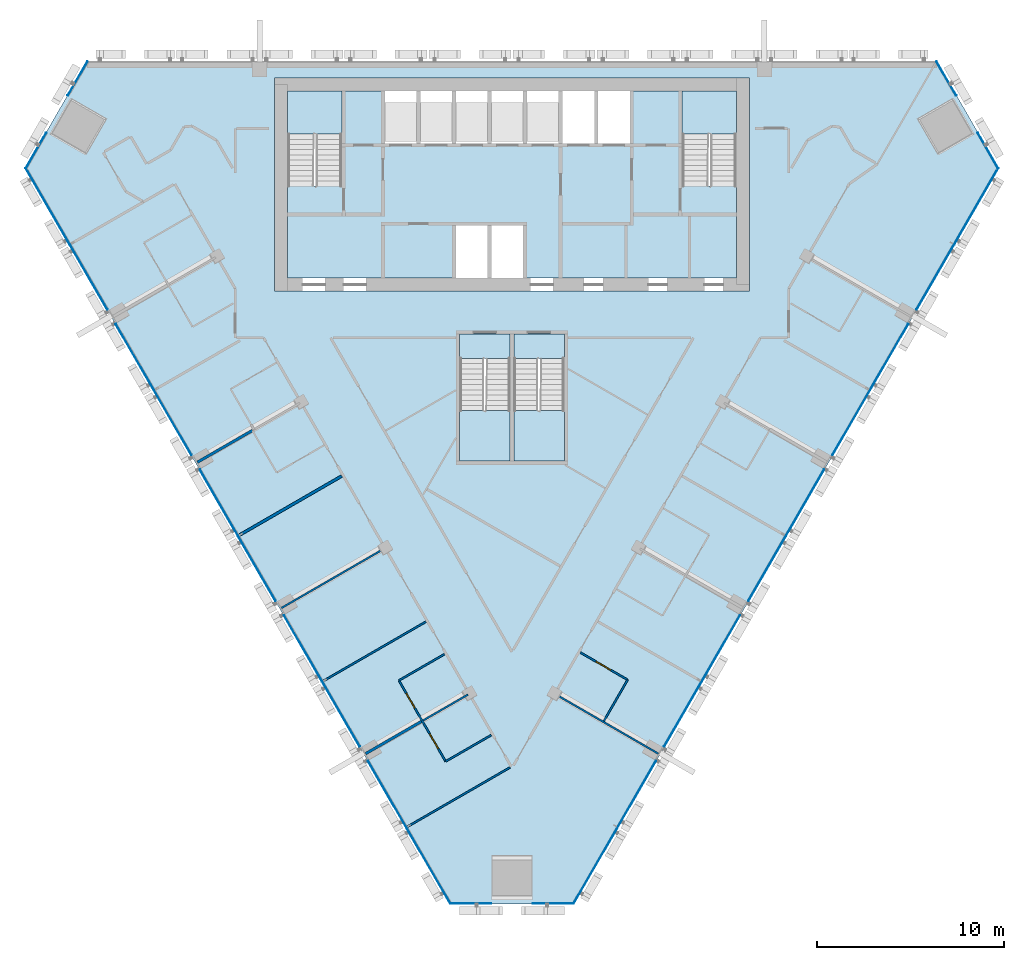
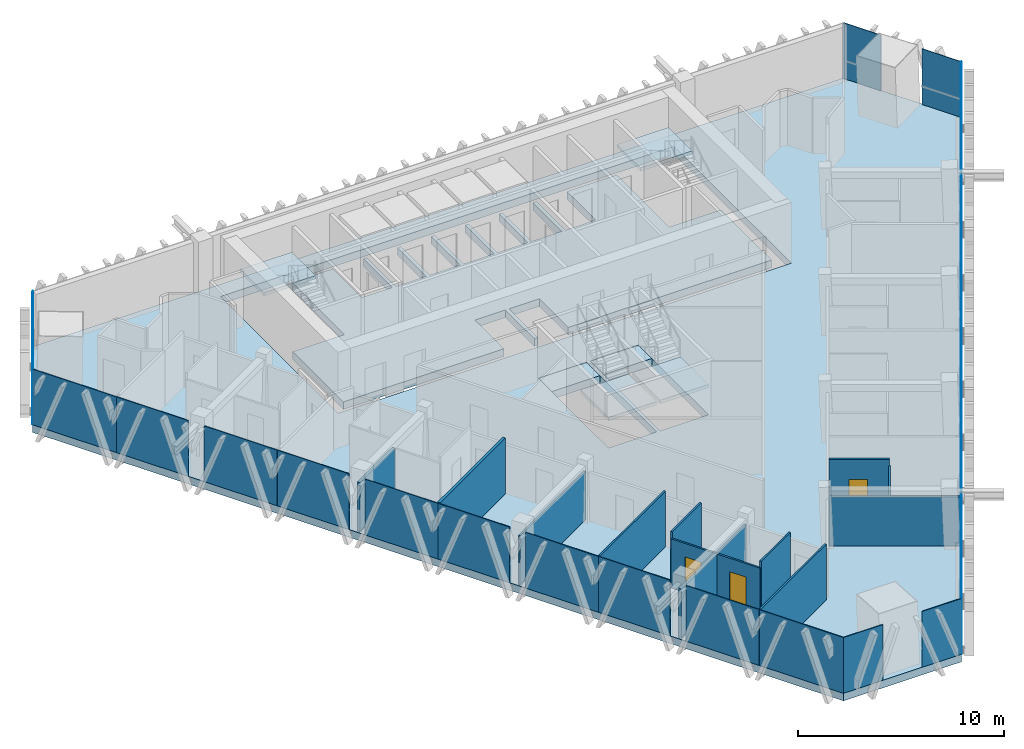
# One storey, part 7 of 15: 26 plates, 13 walls, 8 slabs, 3 doors, 3 openings, 9 elements without a shape of their own.
"""IFC4 building model written with IfcOpenShell, lengths in metres."""

from ifc_helpers import new_model, si_unit, direction, frame, frame_2d, origin, origin_2d, place, context, subcontext, project, spatial, polyline, rectangle, outline, extrude, material, layer, layer_set, type_object, element, fill, aggregate, save


model = new_model("IFC4")

# Units and contexts
model_context = context("Model", 3, precision=1e-05, world=origin(), true_north=direction((0.0, 1.0)))
body_context = subcontext(model_context, "Body", "Model", "MODEL_VIEW")
ifc_project = project(units=[si_unit("LENGTHUNIT", "METRE"), si_unit("AREAUNIT", "SQUARE_METRE"), si_unit("VOLUMEUNIT", "CUBIC_METRE"), si_unit("PLANEANGLEUNIT", "RADIAN"), si_unit("MASSUNIT", "GRAM", prefix="KILO")], contexts=[model_context])

# Site, building, storey
site_placement = place(None, origin())
site = spatial("IfcSite", under=ifc_project, at=site_placement, CompositionType="ELEMENT")
building_placement = place(site_placement, origin())
building = spatial("IfcBuilding", under=site, at=building_placement, Name="Altiplano Prism Tower", CompositionType="ELEMENT")
storey_placement = place(building_placement, frame((0.0, 0.0, 185.39990234375)))
storey = spatial("IfcBuildingStorey", under=building, at=storey_placement, Name="L48", CompositionType="ELEMENT", Elevation=185.39990234375)

# Curtain wall, plates
ifc_material_1 = material(Name="Aluminium and glass", Category="aluminium")
ifc_layer_1 = layer(ifc_material_1, 0.280029296875)
ifc_layer_set_1 = layer_set([ifc_layer_1], Name="Aluminium and glass")
curtain_wall_type = type_object("IfcCurtainWallType", Name="CW1 typical co-living unitised curtain wall", PredefinedType="NOTDEFINED", material=ifc_layer_set_1)
curtain_wall_1_placement = place(storey_placement, origin())
curtain_wall_1 = element("IfcCurtainWall", 1, at=curtain_wall_1_placement, inside=storey, type_object=curtain_wall_type, Name="CW1 curtain wall north-west chamfer L48", PredefinedType="NOTDEFINED")
ifc_material_2 = material(Name="Clear glass", Category="glass")
ifc_layer_2 = layer(ifc_material_2, 0.0400390625)
ifc_layer_set_2 = layer_set([ifc_layer_2], Name="Clear glass")
plate_type = type_object("IfcPlateType", Name="CW1 insulated glass unit 40", PredefinedType="CURTAIN_PANEL", material=ifc_layer_set_2)
plate_1_placement = place(storey_placement, frame((61.764892578125, 104.069091796875, 0.0), z_axis=(0.0, 0.0, 1.0), x_axis=(-0.49999997769, -0.866025416665, 0.0)))
plate_1 = element("IfcPlate", 2, at=plate_1_placement, type_object=plate_type, Name="CW1 panel", PredefinedType="CURTAIN_PANEL", context=body_context, shape_type="SweptSolid", body=[
    extrude(rectangle(XDim=2.11669921875, YDim=0.0400390625, at=origin_2d()), origin(), (0.0, 0.0, 1.0), 3.300048828125),
])
plate_2_placement = place(storey_placement, frame((59.541748046875, 100.21826171875, 0.0), z_axis=(0.0, 0.0, 1.0), x_axis=(-0.49999997769, -0.866025416665, 0.0)))
plate_2 = element("IfcPlate", 3, at=plate_2_placement, type_object=plate_type, Name="CW1 panel", PredefinedType="CURTAIN_PANEL", context=body_context, shape_type="SweptSolid", body=[
    extrude(rectangle(XDim=2.19677734375, YDim=0.0400390625, at=origin_2d()), origin(), (0.0, 0.0, 1.0), 3.300048828125),
])
aggregate(curtain_wall_1, [plate_1, plate_2])

curtain_wall_2_placement = place(storey_placement, origin())
curtain_wall_2 = element("IfcCurtainWall", 4, at=curtain_wall_2_placement, inside=storey, type_object=curtain_wall_type, Name="CW1 curtain wall south-west face L48", PredefinedType="NOTDEFINED")
plate_3_placement = place(storey_placement, frame((60.170166015625, 97.238525390625, 0.0), z_axis=(0.0, 0.0, 1.0), x_axis=(0.499999992699, -0.866025407999, 0.0)))
plate_3 = element("IfcPlate", 5, at=plate_3_placement, type_object=plate_type, Name="CW1 panel", PredefinedType="CURTAIN_PANEL", context=body_context, shape_type="SweptSolid", body=[
    extrude(rectangle(XDim=4.710693359375, YDim=0.0400390625, at=origin_2d()), origin(), (0.0, 0.0, 1.0), 3.300048828125),
])
plate_4_placement = place(storey_placement, frame((62.355224609375, 93.453857421875, 0.0), z_axis=(0.0, 0.0, 1.0), x_axis=(0.499999992699, -0.866025407999, 0.0)))
plate_4 = element("IfcPlate", 6, at=plate_4_placement, type_object=plate_type, Name="CW1 panel", PredefinedType="CURTAIN_PANEL", context=body_context, shape_type="SweptSolid", body=[
    extrude(rectangle(XDim=4.010009765625, YDim=0.0400390625, at=origin_2d()), origin(), (0.0, 0.0, 1.0), 3.300048828125),
])
plate_5_placement = place(storey_placement, frame((64.825439453125, 89.17529296875, 0.0), z_axis=(0.0, 0.0, 1.0), x_axis=(0.499999992699, -0.866025407999, 0.0)))
plate_5 = element("IfcPlate", 7, at=plate_5_placement, type_object=plate_type, Name="CW1 panel", PredefinedType="CURTAIN_PANEL", context=body_context, shape_type="SweptSolid", body=[
    extrude(rectangle(XDim=4.08935546875, YDim=0.0400390625, at=origin_2d()), origin(), (0.0, 0.0, 1.0), 3.300048828125),
])
plate_6_placement = place(storey_placement, frame((66.855224609375, 85.65966796875, 0.0), z_axis=(0.0, 0.0, 1.0), x_axis=(0.499999992699, -0.866025407999, 0.0)))
plate_6 = element("IfcPlate", 8, at=plate_6_placement, type_object=plate_type, Name="CW1 panel", PredefinedType="CURTAIN_PANEL", context=body_context, shape_type="SweptSolid", body=[
    extrude(rectangle(XDim=4.010009765625, YDim=0.0400390625, at=origin_2d()), origin(), (0.0, 0.0, 1.0), 3.300048828125),
])
plate_7_placement = place(storey_placement, frame((69.325439453125, 81.381103515625, 0.0), z_axis=(0.0, 0.0, 1.0), x_axis=(0.499999992699, -0.866025407999, 0.0)))
plate_7 = element("IfcPlate", 9, at=plate_7_placement, type_object=plate_type, Name="CW1 panel", PredefinedType="CURTAIN_PANEL", context=body_context, shape_type="SweptSolid", body=[
    extrude(rectangle(XDim=4.08935546875, YDim=0.0400390625, at=origin_2d()), origin(), (0.0, 0.0, 1.0), 3.300048828125),
])
plate_8_placement = place(storey_placement, frame((71.355224609375, 77.865234375, 0.0), z_axis=(0.0, 0.0, 1.0), x_axis=(0.499999992699, -0.866025407999, 0.0)))
plate_8 = element("IfcPlate", 10, at=plate_8_placement, type_object=plate_type, Name="CW1 panel", PredefinedType="CURTAIN_PANEL", context=body_context, shape_type="SweptSolid", body=[
    extrude(rectangle(XDim=4.010009765625, YDim=0.0400390625, at=origin_2d()), origin(), (0.0, 0.0, 1.0), 3.300048828125),
])
plate_9_placement = place(storey_placement, frame((73.825439453125, 73.5869140625, 0.0), z_axis=(0.0, 0.0, 1.0), x_axis=(0.499999992699, -0.866025407999, 0.0)))
plate_9 = element("IfcPlate", 11, at=plate_9_placement, type_object=plate_type, Name="CW1 panel", PredefinedType="CURTAIN_PANEL", context=body_context, shape_type="SweptSolid", body=[
    extrude(rectangle(XDim=4.08935546875, YDim=0.0400390625, at=origin_2d()), origin(), (0.0, 0.0, 1.0), 3.300048828125),
])
plate_10_placement = place(storey_placement, frame((75.855224609375, 70.071044921875, 0.0), z_axis=(0.0, 0.0, 1.0), x_axis=(0.499999992699, -0.866025407999, 0.0)))
plate_10 = element("IfcPlate", 12, at=plate_10_placement, type_object=plate_type, Name="CW1 panel", PredefinedType="CURTAIN_PANEL", context=body_context, shape_type="SweptSolid", body=[
    extrude(rectangle(XDim=4.010009765625, YDim=0.0400390625, at=origin_2d()), origin(), (0.0, 0.0, 1.0), 3.300048828125),
])
plate_11_placement = place(storey_placement, frame((78.325439453125, 65.792724609375, 0.0), z_axis=(0.0, 0.0, 1.0), x_axis=(0.499999992699, -0.866025407999, 0.0)))
plate_11 = element("IfcPlate", 13, at=plate_11_placement, type_object=plate_type, Name="CW1 panel", PredefinedType="CURTAIN_PANEL", context=body_context, shape_type="SweptSolid", body=[
    extrude(rectangle(XDim=4.08935546875, YDim=0.0400390625, at=origin_2d()), origin(), (0.0, 0.0, 1.0), 3.300048828125),
])
plate_12_placement = place(storey_placement, frame((80.530517578125, 61.973388671875, 0.0), z_axis=(0.0, 0.0, 1.0), x_axis=(0.499999992699, -0.866025407999, 0.0)))
plate_12 = element("IfcPlate", 14, at=plate_12_placement, type_object=plate_type, Name="CW1 panel", PredefinedType="CURTAIN_PANEL", context=body_context, shape_type="SweptSolid", body=[
    extrude(rectangle(XDim=4.710693359375, YDim=0.0400390625, at=origin_2d()), origin(), (0.0, 0.0, 1.0), 3.300048828125),
])
aggregate(curtain_wall_2, [plate_3, plate_4, plate_5, plate_6, plate_7, plate_8, plate_9, plate_10, plate_11, plate_12])

curtain_wall_3_placement = place(storey_placement, origin())
curtain_wall_3 = element("IfcCurtainWall", 15, at=curtain_wall_3_placement, inside=storey, type_object=curtain_wall_type, Name="CW1 curtain wall south chamfer L48", PredefinedType="NOTDEFINED")
plate_13_placement = place(storey_placement, frame((82.796630859375, 59.939453125, 0.0), z_axis=(0.0, 0.0, 1.0), x_axis=(1.0, 0.0, 0.0)))
plate_13 = element("IfcPlate", 16, at=plate_13_placement, type_object=plate_type, Name="CW1 panel", PredefinedType="CURTAIN_PANEL", context=body_context, shape_type="SweptSolid", body=[
    extrude(rectangle(XDim=2.19677734375, YDim=0.0400390625, at=origin_2d()), origin(), (0.0, 0.0, 1.0), 3.300048828125),
])
plate_14_placement = place(storey_placement, frame((87.203369140625, 59.939453125, 0.0), z_axis=(0.0, 0.0, 1.0), x_axis=(1.0, 0.0, 0.0)))
plate_14 = element("IfcPlate", 17, at=plate_14_placement, type_object=plate_type, Name="CW1 panel", PredefinedType="CURTAIN_PANEL", context=body_context, shape_type="SweptSolid", body=[
    extrude(rectangle(XDim=2.19677734375, YDim=0.0400390625, at=origin_2d()), origin(), (0.0, 0.0, 1.0), 3.300048828125),
])
aggregate(curtain_wall_3, [plate_13, plate_14])

curtain_wall_4_placement = place(storey_placement, origin())
curtain_wall_4 = element("IfcCurtainWall", 18, at=curtain_wall_4_placement, inside=storey, type_object=curtain_wall_type, Name="CW1 curtain wall south-east face L48", PredefinedType="NOTDEFINED")
plate_15_placement = place(storey_placement, frame((89.469482421875, 61.973388671875, 0.0), z_axis=(0.0, 0.0, 1.0), x_axis=(0.499999992699, 0.866025407999, 0.0)))
plate_15 = element("IfcPlate", 19, at=plate_15_placement, type_object=plate_type, Name="CW1 panel", PredefinedType="CURTAIN_PANEL", context=body_context, shape_type="SweptSolid", body=[
    extrude(rectangle(XDim=4.710693359375, YDim=0.0400390625, at=origin_2d()), origin(), (0.0, 0.0, 1.0), 3.300048828125),
])
plate_16_placement = place(storey_placement, frame((91.674560546875, 65.792724609375, 0.0), z_axis=(0.0, 0.0, 1.0), x_axis=(0.499999992699, 0.866025407999, 0.0)))
plate_16 = element("IfcPlate", 20, at=plate_16_placement, type_object=plate_type, Name="CW1 panel", PredefinedType="CURTAIN_PANEL", context=body_context, shape_type="SweptSolid", body=[
    extrude(rectangle(XDim=4.08935546875, YDim=0.0400390625, at=origin_2d()), origin(), (0.0, 0.0, 1.0), 3.300048828125),
])
plate_17_placement = place(storey_placement, frame((94.144775390625, 70.071044921875, 0.0), z_axis=(0.0, 0.0, 1.0), x_axis=(0.499999992699, 0.866025407999, 0.0)))
plate_17 = element("IfcPlate", 21, at=plate_17_placement, type_object=plate_type, Name="CW1 panel", PredefinedType="CURTAIN_PANEL", context=body_context, shape_type="SweptSolid", body=[
    extrude(rectangle(XDim=4.010009765625, YDim=0.0400390625, at=origin_2d()), origin(), (0.0, 0.0, 1.0), 3.300048828125),
])
plate_18_placement = place(storey_placement, frame((96.174560546875, 73.5869140625, 0.0), z_axis=(0.0, 0.0, 1.0), x_axis=(0.499999992699, 0.866025407999, 0.0)))
plate_18 = element("IfcPlate", 22, at=plate_18_placement, type_object=plate_type, Name="CW1 panel", PredefinedType="CURTAIN_PANEL", context=body_context, shape_type="SweptSolid", body=[
    extrude(rectangle(XDim=4.08935546875, YDim=0.0400390625, at=origin_2d()), origin(), (0.0, 0.0, 1.0), 3.300048828125),
])
plate_19_placement = place(storey_placement, frame((98.644775390625, 77.865234375, 0.0), z_axis=(0.0, 0.0, 1.0), x_axis=(0.499999992699, 0.866025407999, 0.0)))
plate_19 = element("IfcPlate", 23, at=plate_19_placement, type_object=plate_type, Name="CW1 panel", PredefinedType="CURTAIN_PANEL", context=body_context, shape_type="SweptSolid", body=[
    extrude(rectangle(XDim=4.010009765625, YDim=0.0400390625, at=origin_2d()), origin(), (0.0, 0.0, 1.0), 3.300048828125),
])
plate_20_placement = place(storey_placement, frame((100.674560546875, 81.381103515625, 0.0), z_axis=(0.0, 0.0, 1.0), x_axis=(0.499999992699, 0.866025407999, 0.0)))
plate_20 = element("IfcPlate", 24, at=plate_20_placement, type_object=plate_type, Name="CW1 panel", PredefinedType="CURTAIN_PANEL", context=body_context, shape_type="SweptSolid", body=[
    extrude(rectangle(XDim=4.08935546875, YDim=0.0400390625, at=origin_2d()), origin(), (0.0, 0.0, 1.0), 3.300048828125),
])
plate_21_placement = place(storey_placement, frame((103.144775390625, 85.65966796875, 0.0), z_axis=(0.0, 0.0, 1.0), x_axis=(0.499999992699, 0.866025407999, 0.0)))
plate_21 = element("IfcPlate", 25, at=plate_21_placement, type_object=plate_type, Name="CW1 panel", PredefinedType="CURTAIN_PANEL", context=body_context, shape_type="SweptSolid", body=[
    extrude(rectangle(XDim=4.010009765625, YDim=0.0400390625, at=origin_2d()), origin(), (0.0, 0.0, 1.0), 3.300048828125),
])
plate_22_placement = place(storey_placement, frame((105.174560546875, 89.17529296875, 0.0), z_axis=(0.0, 0.0, 1.0), x_axis=(0.499999992699, 0.866025407999, 0.0)))
plate_22 = element("IfcPlate", 26, at=plate_22_placement, type_object=plate_type, Name="CW1 panel", PredefinedType="CURTAIN_PANEL", context=body_context, shape_type="SweptSolid", body=[
    extrude(rectangle(XDim=4.08935546875, YDim=0.0400390625, at=origin_2d()), origin(), (0.0, 0.0, 1.0), 3.300048828125),
])
plate_23_placement = place(storey_placement, frame((107.644775390625, 93.453857421875, 0.0), z_axis=(0.0, 0.0, 1.0), x_axis=(0.499999992699, 0.866025407999, 0.0)))
plate_23 = element("IfcPlate", 27, at=plate_23_placement, type_object=plate_type, Name="CW1 panel", PredefinedType="CURTAIN_PANEL", context=body_context, shape_type="SweptSolid", body=[
    extrude(rectangle(XDim=4.010009765625, YDim=0.0400390625, at=origin_2d()), origin(), (0.0, 0.0, 1.0), 3.300048828125),
])
plate_24_placement = place(storey_placement, frame((109.829833984375, 97.238525390625, 0.0), z_axis=(0.0, 0.0, 1.0), x_axis=(0.499999992699, 0.866025407999, 0.0)))
plate_24 = element("IfcPlate", 28, at=plate_24_placement, type_object=plate_type, Name="CW1 panel", PredefinedType="CURTAIN_PANEL", context=body_context, shape_type="SweptSolid", body=[
    extrude(rectangle(XDim=4.710693359375, YDim=0.0400390625, at=origin_2d()), origin(), (0.0, 0.0, 1.0), 3.300048828125),
])
aggregate(curtain_wall_4, [plate_15, plate_16, plate_17, plate_18, plate_19, plate_20, plate_21, plate_22, plate_23, plate_24])

curtain_wall_5_placement = place(storey_placement, origin())
curtain_wall_5 = element("IfcCurtainWall", 29, at=curtain_wall_5_placement, inside=storey, type_object=curtain_wall_type, Name="CW1 curtain wall north-east chamfer L48", PredefinedType="NOTDEFINED")
plate_25_placement = place(storey_placement, frame((110.458251953125, 100.21826171875, 0.0), z_axis=(0.0, 0.0, 1.0), x_axis=(-0.49999997769, 0.866025416665, 0.0)))
plate_25 = element("IfcPlate", 30, at=plate_25_placement, type_object=plate_type, Name="CW1 panel", PredefinedType="CURTAIN_PANEL", context=body_context, shape_type="SweptSolid", body=[
    extrude(rectangle(XDim=2.19677734375, YDim=0.0400390625, at=origin_2d()), origin(), (0.0, 0.0, 1.0), 3.300048828125),
])
plate_26_placement = place(storey_placement, frame((108.235107421875, 104.069091796875, 0.0), z_axis=(0.0, 0.0, 1.0), x_axis=(-0.49999997769, 0.866025416665, 0.0)))
plate_26 = element("IfcPlate", 31, at=plate_26_placement, type_object=plate_type, Name="CW1 panel", PredefinedType="CURTAIN_PANEL", context=body_context, shape_type="SweptSolid", body=[
    extrude(rectangle(XDim=2.11669921875, YDim=0.0400390625, at=origin_2d()), origin(), (0.0, 0.0, 1.0), 3.300048828125),
])
aggregate(curtain_wall_5, [plate_25, plate_26])

# Slabs
ifc_material_3 = material(Name="Concrete C40/50", Category="concrete")
ifc_layer_3 = layer(ifc_material_3, 0.449951171875)
ifc_layer_set_3 = layer_set([ifc_layer_3], Name="Concrete C40/50")
slab_type_1 = type_object("IfcSlabType", Name="Core floor slab 450", PredefinedType="FLOOR", material=ifc_layer_set_3)
slab_1_placement = place(storey_placement, frame((0.0, 0.0, -0.449951171875)))
element("IfcSlab", 32, at=slab_1_placement, inside=storey, type_object=slab_type_1, Name="Core floor slab L48", PredefinedType="FLOOR", context=body_context, shape_type="SweptSolid", body=[
    extrude(outline(polyline([(97.0, 98.31005859375), (94.10009765625, 98.31005859375), (94.10009765625, 103.39990234375), (91.300048828125, 103.39990234375), (91.300048828125, 100.60009765625), (89.60009765625, 100.60009765625), (89.60009765625, 103.39990234375), (89.39990234375, 103.39990234375), (89.39990234375, 100.60009765625), (87.699951171875, 100.60009765625), (87.699951171875, 103.39990234375), (87.5, 103.39990234375), (87.5, 100.60009765625), (85.800048828125, 100.60009765625), (85.800048828125, 103.39990234375), (85.60009765625, 103.39990234375), (85.60009765625, 100.60009765625), (83.89990234375, 100.60009765625), (83.89990234375, 103.39990234375), (83.699951171875, 103.39990234375), (83.699951171875, 100.60009765625), (82.0, 100.60009765625), (82.0, 103.39990234375), (81.800048828125, 103.39990234375), (81.800048828125, 100.60009765625), (80.10009765625, 100.60009765625), (80.10009765625, 103.39990234375), (79.89990234375, 103.39990234375), (79.89990234375, 100.60009765625), (78.199951171875, 100.60009765625), (78.199951171875, 103.39990234375), (75.89990234375, 103.39990234375), (75.89990234375, 98.31005859375), (73.0, 98.31005859375), (73.0, 93.39990234375), (82.0, 93.39990234375), (82.0, 96.199951171875), (83.699951171875, 96.199951171875), (83.699951171875, 93.39990234375), (83.89990234375, 93.39990234375), (83.89990234375, 96.199951171875), (85.60009765625, 96.199951171875), (85.60009765625, 93.39990234375), (97.0, 93.39990234375), (97.0, 98.31005859375)])), origin(), (0.0, 0.0, 1.0), 0.449951171875),
])
slab_2_placement = place(storey_placement, frame((0.0, 0.0, -0.449951171875)))
element("IfcSlab", 33, at=slab_2_placement, inside=storey, type_object=slab_type_1, Name="Stair 3A landing slab L48", PredefinedType="FLOOR", context=body_context, shape_type="SweptSolid", body=[
    extrude(outline(polyline([(82.199951171875, 89.096923828125), (84.89990234375, 89.096923828125), (84.89990234375, 90.39990234375), (82.199951171875, 90.39990234375), (82.199951171875, 89.096923828125)])), origin(), (0.0, 0.0, 1.0), 0.449951171875),
])
slab_3_placement = place(storey_placement, frame((0.0, 0.0, -0.449951171875)))
element("IfcSlab", 34, at=slab_3_placement, inside=storey, type_object=slab_type_1, Name="Stair 3B landing slab L48", PredefinedType="FLOOR", context=body_context, shape_type="SweptSolid", body=[
    extrude(outline(polyline([(85.10009765625, 89.096923828125), (87.800048828125, 89.096923828125), (87.800048828125, 90.39990234375), (85.10009765625, 90.39990234375), (85.10009765625, 89.096923828125)])), origin(), (0.0, 0.0, 1.0), 0.449951171875),
])
ifc_layer_4 = layer(ifc_material_3, 0.449951171875)
ifc_layer_set_4 = layer_set([ifc_layer_4], Name="Concrete C40/50")
slab_type_2 = type_object("IfcSlabType", Name="Post-tensioned flat slab 450", PredefinedType="FLOOR", material=ifc_layer_set_4)
slab_4_placement = place(storey_placement, frame((0.0, 0.0, -0.449951171875)))
element("IfcSlab", 35, at=slab_4_placement, inside=storey, type_object=slab_type_2, Name="Floor slab L48", PredefinedType="FLOOR", context=body_context, shape_type="SweptSolid", body=[
    extrude(outline(polyline([(81.693359375, 59.91943359375), (58.97265625, 99.272705078125), (62.279296875, 105.0), (107.720703125, 105.0), (111.02734375, 99.272705078125), (88.306640625, 59.91943359375), (81.693359375, 59.91943359375)]), holes=[polyline([(72.300048828125, 104.10009765625), (72.300048828125, 92.699951171875), (97.699951171875, 92.699951171875), (97.699951171875, 104.10009765625), (72.300048828125, 104.10009765625)]), polyline([(84.89990234375, 90.39990234375), (82.199951171875, 90.39990234375), (82.199951171875, 83.60009765625), (84.89990234375, 83.60009765625), (84.89990234375, 90.39990234375)]), polyline([(87.800048828125, 83.60009765625), (87.800048828125, 90.39990234375), (85.10009765625, 90.39990234375), (85.10009765625, 83.60009765625), (87.800048828125, 83.60009765625)])]), origin(), (0.0, 0.0, 1.0), 0.449951171875),
])

# Stair, slab
stair_type_1 = type_object("IfcStairType", Name="Exit stair 1400", PredefinedType="HALF_TURN_STAIR", material=ifc_material_3)
stair_1_placement = place(storey_placement, origin())
stair_1 = element("IfcStair", 36, at=stair_1_placement, inside=storey, type_object=stair_type_1, Name="L48 Exit Stair 1", PredefinedType="HALF_TURN_STAIR")
ifc_layer_5 = layer(ifc_material_3, 0.199951171875)
ifc_layer_set_5 = layer_set([ifc_layer_5], Name="Concrete C40/50")
slab_type_3 = type_object("IfcSlabType", Name="Stair landing 200", PredefinedType="LANDING", material=ifc_layer_set_5)
slab_5_placement = place(storey_placement, frame((0.0, 0.0, 1.60009765625)))
slab_5 = element("IfcSlab", 37, at=slab_5_placement, type_object=slab_type_3, Name="ST1 landing 1", PredefinedType="LANDING", context=body_context, shape_type="SweptSolid", body=[
    extrude(outline(polyline([(75.89990234375, 101.096923828125), (75.89990234375, 103.39990234375), (73.0, 103.39990234375), (73.0, 101.096923828125), (75.89990234375, 101.096923828125)])), origin(), (0.0, 0.0, 1.0), 0.199951171875),
])
aggregate(stair_1, [slab_5])

stair_2_placement = place(storey_placement, origin())
stair_2 = element("IfcStair", 38, at=stair_2_placement, inside=storey, type_object=stair_type_1, Name="L48 Exit Stair 2", PredefinedType="HALF_TURN_STAIR")
slab_6_placement = place(storey_placement, frame((0.0, 0.0, 1.60009765625)))
slab_6 = element("IfcSlab", 39, at=slab_6_placement, type_object=slab_type_3, Name="ST2 landing 1", PredefinedType="LANDING", context=body_context, shape_type="SweptSolid", body=[
    extrude(outline(polyline([(97.0, 101.096923828125), (97.0, 103.39990234375), (94.10009765625, 103.39990234375), (94.10009765625, 101.096923828125), (97.0, 101.096923828125)])), origin(), (0.0, 0.0, 1.0), 0.199951171875),
])
aggregate(stair_2, [slab_6])

stair_type_2 = type_object("IfcStairType", Name="Exit stair 1300", PredefinedType="HALF_TURN_STAIR", material=ifc_material_3)
stair_3_placement = place(storey_placement, origin())
stair_3 = element("IfcStair", 40, at=stair_3_placement, inside=storey, type_object=stair_type_2, Name="L48 Exit Stair 3A", PredefinedType="HALF_TURN_STAIR")
slab_7_placement = place(storey_placement, frame((0.0, 0.0, 1.60009765625)))
slab_7 = element("IfcSlab", 41, at=slab_7_placement, type_object=slab_type_3, Name="ST3A landing 1", PredefinedType="LANDING", context=body_context, shape_type="SweptSolid", body=[
    extrude(outline(polyline([(82.199951171875, 86.302978515625), (82.199951171875, 83.60009765625), (84.89990234375, 83.60009765625), (84.89990234375, 86.302978515625), (82.199951171875, 86.302978515625)])), origin(), (0.0, 0.0, 1.0), 0.199951171875),
])
aggregate(stair_3, [slab_7])

stair_4_placement = place(storey_placement, origin())
stair_4 = element("IfcStair", 42, at=stair_4_placement, inside=storey, type_object=stair_type_2, Name="L48 Exit Stair 3B", PredefinedType="HALF_TURN_STAIR")
slab_8_placement = place(storey_placement, frame((0.0, 0.0, 1.60009765625)))
slab_8 = element("IfcSlab", 43, at=slab_8_placement, type_object=slab_type_3, Name="ST3B landing 1", PredefinedType="LANDING", context=body_context, shape_type="SweptSolid", body=[
    extrude(outline(polyline([(85.10009765625, 86.302978515625), (85.10009765625, 83.60009765625), (87.800048828125, 83.60009765625), (87.800048828125, 86.302978515625), (85.10009765625, 86.302978515625)])), origin(), (0.0, 0.0, 1.0), 0.199951171875),
])
aggregate(stair_4, [slab_8])

# Wall, openings, doors
ifc_material_4 = material(Name="Plasterboard on steel stud", Category="steel")
ifc_layer_6 = layer(ifc_material_4, 0.10009765625)
ifc_layer_set_6 = layer_set([ifc_layer_6], Name="Plasterboard on steel stud")
wall_type_1 = type_object("IfcWallType", Name="Partition 100 unit", PredefinedType="PARTITIONING", material=ifc_layer_set_6)
wall_1_placement = place(storey_placement, frame((81.45068359375, 67.53955078125, 0.0), z_axis=(0.0, 0.0, 1.0), x_axis=(-0.499983091616, 0.866035165624, 0.0)))
wall_1 = element("IfcWall", 44, at=wall_1_placement, inside=storey, type_object=wall_type_1, Name="Partition P02 L48 055", PredefinedType="PARTITIONING", context=body_context, shape_type="SweptSolid", body=[
    extrude(rectangle(XDim=5.000244140625, YDim=0.10009765625, at=frame_2d((2.5, 0.0))), origin(), (0.0, 0.0, 1.0), 2.900146484375),
])
opening_1_placement = place(wall_1_placement, frame((3.300048828125, 0.0, 0.0)))
opening_1 = element("IfcOpeningElement", 45, at=opening_1_placement, cuts=wall_1, Name="Opening D1704", PredefinedType="OPENING", context=body_context, shape_type="SweptSolid", body=[
    extrude(rectangle(XDim=0.89990234375, YDim=2.10009765625, at=frame_2d((0.449951171875, 1.050048828125))), frame((0.0, 0.060546875, 0.0), z_axis=(0.0, -1.0, 0.0), x_axis=(1.0, 0.0, 0.0)), (0.0, 0.0, 1.0), 0.12109375),
])
opening_2_placement = place(wall_1_placement, frame((0.800048828125, 0.0, 0.0)))
opening_2 = element("IfcOpeningElement", 46, at=opening_2_placement, cuts=wall_1, Name="Opening D1706", PredefinedType="OPENING", context=body_context, shape_type="SweptSolid", body=[
    extrude(rectangle(XDim=0.89990234375, YDim=2.10009765625, at=frame_2d((0.449951171875, 1.050048828125))), frame((0.0, 0.060546875, 0.0), z_axis=(0.0, -1.0, 0.0), x_axis=(1.0, 0.0, 0.0)), (0.0, 0.0, 1.0), 0.12109375),
])
ifc_material_5 = material(Name="Timber", Category="wood")
door_type = type_object("IfcDoorType", Name="Ensuite door 900 x 2100", OperationType="NOTDEFINED", PredefinedType="NOTDEFINED", material=ifc_material_5)
door_1_placement = place(opening_1_placement, origin())
door_1 = element("IfcDoor", 47, at=door_1_placement, inside=storey, type_object=door_type, Name="Door D1704", OperationType="SINGLE_SWING_RIGHT", OverallHeight=2.10009765625, OverallWidth=0.89990234375, PredefinedType="NOTDEFINED", context=body_context, shape_type="SweptSolid", body=[
    extrude(rectangle(XDim=0.89990234375, YDim=2.10009765625, at=frame_2d((0.449951171875, 1.050048828125))), frame((0.0, 0.02490234375, 0.0), z_axis=(0.0, -1.0, 0.0), x_axis=(1.0, 0.0, 0.0)), (0.0, 0.0, 1.0), 0.050048828125),
])
fill(opening_1, door_1)
door_2_placement = place(opening_2_placement, origin())
door_2 = element("IfcDoor", 48, at=door_2_placement, inside=storey, type_object=door_type, Name="Door D1706", OperationType="SINGLE_SWING_RIGHT", OverallHeight=2.10009765625, OverallWidth=0.89990234375, PredefinedType="NOTDEFINED", context=body_context, shape_type="SweptSolid", body=[
    extrude(rectangle(XDim=0.89990234375, YDim=2.10009765625, at=frame_2d((0.449951171875, 1.050048828125))), frame((0.0, 0.02490234375, 0.0), z_axis=(0.0, -1.0, 0.0), x_axis=(1.0, 0.0, 0.0)), (0.0, 0.0, 1.0), 0.050048828125),
])
fill(opening_2, door_2)

# Walls
for number, where, z_axis, x_axis, name in (
    (49, (78.95068359375, 71.869873046875, 0.0), (0.0, 0.0, 1.0), (0.866048868473, 0.499959355765, 0.0), "Partition P02 L48 056"),
    (50, (83.897216796875, 68.9521484375, 0.0), (0.0, 0.0, 1.0), (-0.866011447264, -0.500024172624, 0.0), "Partition P02 L48 059"),
):
    element("IfcWall", number, at=place(storey_placement, frame(where, z_axis=z_axis, x_axis=x_axis)), inside=storey, type_object=wall_type_1, Name=name, PredefinedType="PARTITIONING", context=body_context, shape_type="SweptSolid", body=[
        extrude(rectangle(XDim=2.824951171875, YDim=0.10009765625, at=frame_2d((1.41259765625, 0.0))), origin(), (0.0, 0.0, 1.0), 3.300048828125),
    ])

# Wall, opening, door
wall_2_placement = place(storey_placement, frame((88.65283203125, 73.368896484375, 0.0), z_axis=(0.0, 0.0, 1.0), x_axis=(0.865989585315, -0.500062034277, 0.0)))
wall_2 = element("IfcWall", 51, at=wall_2_placement, inside=storey, type_object=wall_type_1, Name="Partition P02 L48 062", PredefinedType="PARTITIONING", context=body_context, shape_type="SweptSolid", body=[
    extrude(rectangle(XDim=2.925048828125, YDim=0.10009765625, at=frame_2d((1.46240234375, 0.0))), origin(), (0.0, 0.0, 1.0), 3.300048828125),
])
opening_3_placement = place(wall_2_placement, frame((0.97509765625, 0.0, 0.0)))
opening_3 = element("IfcOpeningElement", 52, at=opening_3_placement, cuts=wall_2, Name="Opening D1709", PredefinedType="OPENING", context=body_context, shape_type="SweptSolid", body=[
    extrude(rectangle(XDim=0.89990234375, YDim=2.10009765625, at=frame_2d((0.449951171875, 1.050048828125))), frame((0.0, 0.060546875, 0.0), z_axis=(0.0, -1.0, 0.0), x_axis=(1.0, 0.0, 0.0)), (0.0, 0.0, 1.0), 0.12109375),
])
door_3_placement = place(opening_3_placement, origin())
door_3 = element("IfcDoor", 53, at=door_3_placement, inside=storey, type_object=door_type, Name="Door D1709", OperationType="SINGLE_SWING_LEFT", OverallHeight=2.10009765625, OverallWidth=0.89990234375, PredefinedType="NOTDEFINED", context=body_context, shape_type="SweptSolid", body=[
    extrude(rectangle(XDim=0.89990234375, YDim=2.10009765625, at=frame_2d((0.449951171875, 1.050048828125))), frame((0.0, 0.02490234375, 0.0), z_axis=(0.0, -1.0, 0.0), x_axis=(1.0, 0.0, 0.0)), (0.0, 0.0, 1.0), 0.050048828125),
])
fill(opening_3, door_3)

# Walls
wall_3_placement = place(storey_placement, frame((91.185791015625, 71.90625, 0.0), z_axis=(0.0, 0.0, 1.0), x_axis=(-0.499990435942, -0.866030925526, 0.0)))
element("IfcWall", 54, at=wall_3_placement, inside=storey, type_object=wall_type_1, Name="Partition P02 L48 063", PredefinedType="PARTITIONING", context=body_context, shape_type="SweptSolid", body=[
    extrude(rectangle(XDim=2.5498046875, YDim=0.10009765625, at=frame_2d((1.27490234375, 0.0))), origin(), (0.0, 0.0, 1.0), 2.900146484375),
])
ifc_layer_7 = layer(ifc_material_4, 0.10009765625)
ifc_layer_set_7 = layer_set([ifc_layer_7], Name="Plasterboard on steel stud")
wall_type_2 = type_object("IfcWallType", Name="Partition 100 wet", PredefinedType="PARTITIONING", material=ifc_layer_set_7)
wall_4_placement = place(storey_placement, frame((72.669677734375, 75.7490234375, 0.0), z_axis=(0.0, 0.0, 1.0), x_axis=(0.866032601554, 0.49998753289, 0.0)))
element("IfcWall", 55, at=wall_4_placement, inside=storey, type_object=wall_type_2, Name="Partition P03 L48 053", PredefinedType="PARTITIONING", context=body_context, shape_type="SweptSolid", body=[
    extrude(rectangle(XDim=6.324951171875, YDim=0.10009765625, at=frame_2d((3.16259765625, 0.0))), origin(), (0.0, 0.0, 1.0), 2.900146484375),
])
wall_5_placement = place(storey_placement, frame((74.902099609375, 71.841796875, 0.0), z_axis=(0.0, 0.0, 1.0), x_axis=(0.866025401434, 0.500000004071, 0.0)))
element("IfcWall", 56, at=wall_5_placement, inside=storey, type_object=wall_type_2, Name="Partition P03 L48 054", PredefinedType="PARTITIONING", context=body_context, shape_type="SweptSolid", body=[
    extrude(rectangle(XDim=6.34521484375, YDim=0.10009765625, at=frame_2d((3.172607421875, 0.0))), origin(), (0.0, 0.0, 1.0), 3.300048828125),
])
wall_6_placement = place(storey_placement, frame((80.243896484375, 69.729736328125, 0.0), z_axis=(0.0, 0.0, 1.0), x_axis=(0.866042014628, 0.499971228071, 0.0)))
element("IfcWall", 57, at=wall_6_placement, inside=storey, type_object=wall_type_2, Name="Partition P03 L48 058", PredefinedType="PARTITIONING", context=body_context, shape_type="SweptSolid", body=[
    extrude(rectangle(XDim=2.775146484375, YDim=0.10009765625, at=frame_2d((1.3876953125, 0.0))), origin(), (0.0, 0.0, 1.0), 2.900146484375),
])
wall_7_placement = place(storey_placement, frame((79.402099609375, 64.04736328125, 0.0), z_axis=(0.0, 0.0, 1.0), x_axis=(0.866025401434, 0.500000004071, 0.0)))
element("IfcWall", 58, at=wall_7_placement, inside=storey, type_object=wall_type_2, Name="Partition P03 L48 060", PredefinedType="PARTITIONING", context=body_context, shape_type="SweptSolid", body=[
    extrude(rectangle(XDim=6.34521484375, YDim=0.10009765625, at=frame_2d((3.172607421875, 0.0))), origin(), (0.0, 0.0, 1.0), 3.300048828125),
])
wall_8_placement = place(storey_placement, frame((92.830322265625, 67.95458984375, 0.0), z_axis=(0.0, 0.0, 1.0), x_axis=(-0.866015887322, 0.500016482634, 0.0)))
element("IfcWall", 59, at=wall_8_placement, inside=storey, type_object=wall_type_2, Name="Partition P03 L48 061", PredefinedType="PARTITIONING", context=body_context, shape_type="SweptSolid", body=[
    extrude(rectangle(XDim=6.324951171875, YDim=0.10009765625, at=frame_2d((3.16259765625, 0.0))), origin(), (0.0, 0.0, 1.0), 2.900146484375),
])
ifc_layer_8 = layer(ifc_material_4, 0.14990234375)
ifc_layer_set_8 = layer_set([ifc_layer_8], Name="Plasterboard on steel stud")
wall_type_3 = type_object("IfcWallType", Name="Partition 150 party", PredefinedType="PARTITIONING", material=ifc_layer_set_8)
wall_9_placement = place(storey_placement, frame((68.169677734375, 83.543212890625, 0.0), z_axis=(0.0, 0.0, 1.0), x_axis=(0.866020560687, 0.500008388397, 0.0)))
element("IfcWall", 60, at=wall_9_placement, inside=storey, type_object=wall_type_3, Name="Partition P01 L48 048", PredefinedType="PARTITIONING", context=body_context, shape_type="SweptSolid", body=[
    extrude(rectangle(XDim=3.39990234375, YDim=0.14990234375, at=frame_2d((1.699951171875, 0.0))), origin(), (0.0, 0.0, 1.0), 2.900146484375),
])
wall_10_placement = place(storey_placement, frame((70.402099609375, 79.635986328125, 0.0), z_axis=(0.0, 0.0, 1.0), x_axis=(0.866025401434, 0.500000004071, 0.0)))
element("IfcWall", 61, at=wall_10_placement, inside=storey, type_object=wall_type_3, Name="Partition P01 L48 052", PredefinedType="PARTITIONING", context=body_context, shape_type="SweptSolid", body=[
    extrude(rectangle(XDim=6.34521484375, YDim=0.14990234375, at=frame_2d((3.172607421875, 0.0))), origin(), (0.0, 0.0, 1.0), 3.300048828125),
])
wall_11_placement = place(storey_placement, frame((77.169677734375, 67.95458984375, 0.0), z_axis=(0.0, 0.0, 1.0), x_axis=(0.866013532718, 0.500020560727, 0.0)))
element("IfcWall", 62, at=wall_11_placement, inside=storey, type_object=wall_type_3, Name="Partition P01 L48 057", PredefinedType="PARTITIONING", context=body_context, shape_type="SweptSolid", body=[
    extrude(rectangle(XDim=3.449951171875, YDim=0.14990234375, at=frame_2d((1.72509765625, 0.0))), origin(), (0.0, 0.0, 1.0), 2.900146484375),
])

save(model, "model.ifc")
